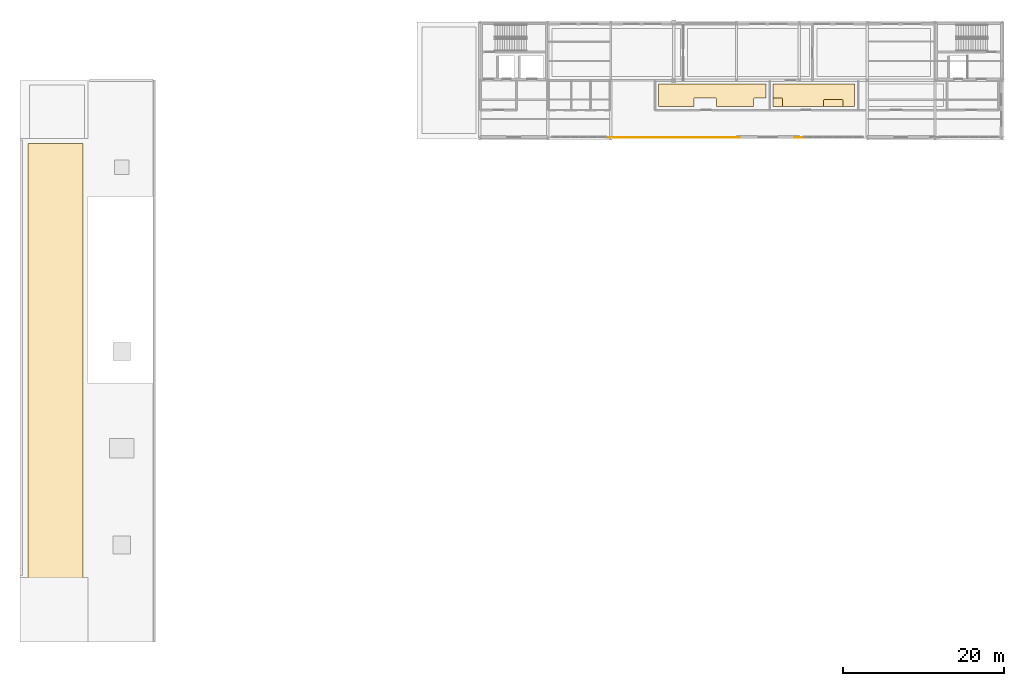
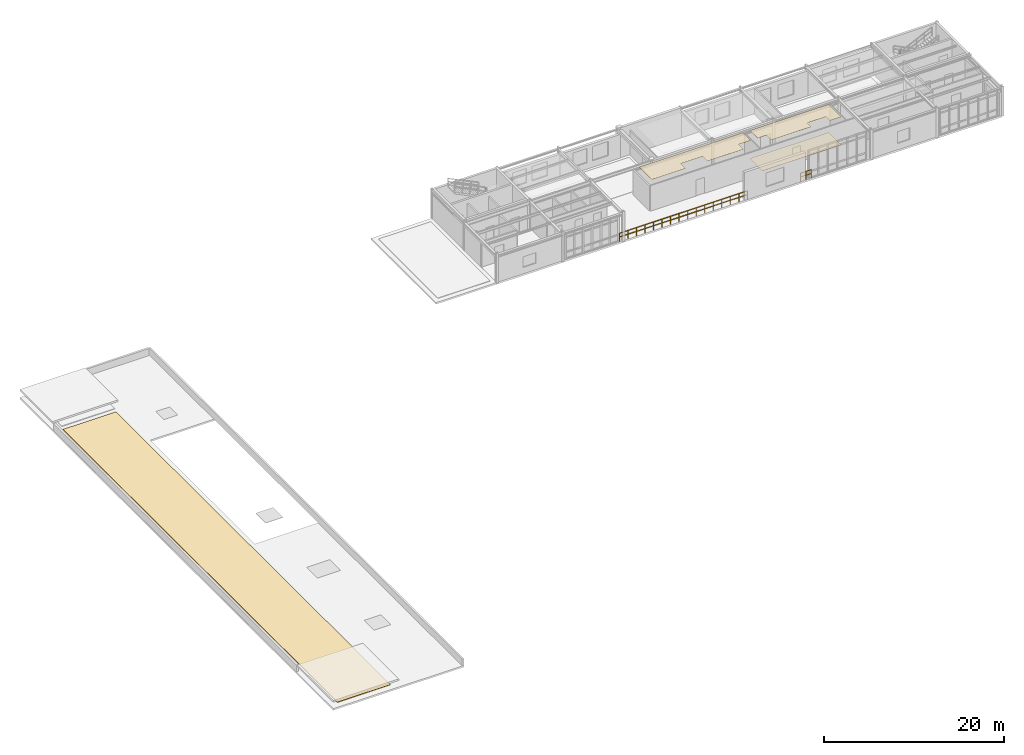
# One storey, part 17 of 20: 4 coverings, 2 railings.
"""IFC4 building model written with IfcOpenShell, lengths in metres."""

import ifcopenshell
import ifcopenshell.guid

model = None  # the IFC model being written
_history = None  # IfcOwnerHistory: only IFC2X3 demands one
_inside = {}  # id of a spatial element -> (the spatial element, [elements in it])
_under = {}  # id of a project, library or spatial element -> (it, [spatial elements below it])
_declared = {}  # id of a project -> (the project, [libraries it declares])
_typed = {}  # id of a type object -> (the type object, [elements of that type])
_made_of = {}  # id of a material, layer set ... -> (it, [elements and type objects made of it])


def new_model(schema):
    """Start an empty IFC model of exactly this schema.

    Asked for "IFC4X3", IfcOpenShell would pick the latest addendum, in which some entities
    have other attributes; the version numbers below select the first issue.
    IFC2X3 requires an IfcOwnerHistory on every rooted entity: one is made here for all.
    """
    global model, _history
    if schema == "IFC4X3":
        model = ifcopenshell.file(schema_version=(4, 3, 0, 0))
    else:
        model = ifcopenshell.file(schema=schema)
    _inside.clear()
    _under.clear()
    _declared.clear()
    _typed.clear()
    _made_of.clear()
    _history = None
    if model.schema == "IFC2X3":
        org = make("IfcOrganization", Name="unknown")
        user = make(
            "IfcPersonAndOrganization",
            ThePerson=make("IfcPerson", FamilyName="unknown"),
            TheOrganization=org,
        )
        app = make(
            "IfcApplication",
            ApplicationDeveloper=org,
            Version="unknown",
            ApplicationFullName="unknown",
            ApplicationIdentifier="unknown",
        )
        _history = make(
            "IfcOwnerHistory",
            OwningUser=user,
            OwningApplication=app,
            ChangeAction="ADDED",
            CreationDate=0,
        )
    return model


def make(cls, **values):
    """One entity of the class cls with the attributes given. An attribute that is None is left unset."""
    return model.create_entity(
        cls, **{name: value for name, value in values.items() if value is not None}
    )


def rooted(cls, **values):
    """An entity with a GlobalId (a new one), such as an element, a storey or a relation."""
    return make(cls, GlobalId=ifcopenshell.guid.new(), OwnerHistory=_history, **values)


def si_unit(unit_type, name, prefix=None):
    """IfcSIUnit, for example si_unit("LENGTHUNIT", "METRE", prefix="MILLI")."""
    return make("IfcSIUnit", UnitType=unit_type, Prefix=prefix, Name=name)


def derived_unit(unit_type, elements):
    """IfcDerivedUnit: a product of units, each with its exponent."""
    return make(
        "IfcDerivedUnit",
        Elements=[
            make("IfcDerivedUnitElement", Unit=unit, Exponent=power)
            for unit, power in elements
        ],
        UnitType=unit_type,
    )


def assignment(units):
    """IfcUnitAssignment: the units of a project."""
    return None if units is None else make("IfcUnitAssignment", Units=units)


def point(xyz):
    """IfcCartesianPoint."""
    return None if xyz is None else make("IfcCartesianPoint", Coordinates=xyz)


def direction(xyz):
    """IfcDirection."""
    return None if xyz is None else make("IfcDirection", DirectionRatios=xyz)


def frame(location, z_axis=None, x_axis=None):
    """IfcAxis2Placement3D, a coordinate frame: its origin and axes. An axis left out is left unset."""
    return make(
        "IfcAxis2Placement3D",
        Location=point(location),
        Axis=direction(z_axis),
        RefDirection=direction(x_axis),
    )


def frame_2d(location, x_axis=None):
    """IfcAxis2Placement2D, a coordinate frame in the plane: its origin and x axis."""
    return make(
        "IfcAxis2Placement2D", Location=point(location), RefDirection=direction(x_axis)
    )


def origin():
    """The frame at (0, 0, 0) with its axes left unset."""
    return frame((0.0, 0.0, 0.0))


def origin_2d():
    """The frame at (0, 0) in the plane with its x axis left unset."""
    return frame_2d((0.0, 0.0))


def place(relative_to, where):
    """IfcLocalPlacement: puts the frame where relative to a parent placement (None: the world)."""
    return make(
        "IfcLocalPlacement", PlacementRelTo=relative_to, RelativePlacement=where
    )


def context(
    kind, dimensions, precision=None, world=None, true_north=None, identifier=None
):
    """IfcGeometricRepresentationContext, for example the 3D "Model" context."""
    return make(
        "IfcGeometricRepresentationContext",
        ContextIdentifier=identifier,
        ContextType=kind,
        CoordinateSpaceDimension=dimensions,
        Precision=precision,
        WorldCoordinateSystem=world,
        TrueNorth=true_north,
    )


def subcontext(parent, identifier, kind, view, scale=None):
    """IfcGeometricRepresentationSubContext, for example "Body" below "Model"."""
    return make(
        "IfcGeometricRepresentationSubContext",
        ContextIdentifier=identifier,
        ContextType=kind,
        ParentContext=parent,
        TargetScale=scale,
        TargetView=view,
    )


def project(units=None, contexts=None):
    """IfcProject with its units and contexts."""
    return rooted(
        "IfcProject",
        Name="project",
        RepresentationContexts=contexts,
        UnitsInContext=assignment(units),
    )


def spatial(cls, under=None, at=None, **own):
    """A site, building, storey or space (cls), placed at a placement, below another one or the project."""
    s = rooted(cls, ObjectPlacement=at, **own)
    if under is not None:
        _under.setdefault(under.id(), (under, []))[1].append(s)
    return s


def polyline(points):
    """IfcPolyline through the points."""
    return make("IfcPolyline", Points=[point(p) for p in points])


def profile(cls, at=None, kind="AREA", **sizes):
    """A parametric profile (cls). Its sizes go by their IFC names, for example OverallWidth=200.0."""
    return make(cls, ProfileType=kind, Position=at, **sizes)


def circle(**sizes):
    """IfcCircleProfileDef."""
    return profile("IfcCircleProfileDef", **sizes)


def outline(outer, holes=None, kind="AREA"):
    """IfcArbitraryClosedProfileDef: a profile drawn as a closed curve; with holes, ...WithVoids."""
    if holes is None:
        return make("IfcArbitraryClosedProfileDef", ProfileType=kind, OuterCurve=outer)
    return make(
        "IfcArbitraryProfileDefWithVoids",
        ProfileType=kind,
        OuterCurve=outer,
        InnerCurves=holes,
    )


def extrude(swept, where, along, depth):
    """IfcExtrudedAreaSolid: the profile swept, set in the frame where, extruded along a direction by depth."""
    return make(
        "IfcExtrudedAreaSolid",
        SweptArea=swept,
        Position=where,
        ExtrudedDirection=direction(along),
        Depth=depth,
    )


def shape(context_of_items, identifier, shape_type, items):
    """IfcShapeRepresentation: the items that make up one representation, for example the "Body"."""
    return make(
        "IfcShapeRepresentation",
        ContextOfItems=context_of_items,
        RepresentationIdentifier=identifier,
        RepresentationType=shape_type,
        Items=items,
    )


def material(Name=None, Category=None):
    """IfcMaterial."""
    return make("IfcMaterial", Name=Name, Category=Category)


def layer(
    of_material, thickness, ventilated=None, Name=None, Category=None, Priority=None
):
    """IfcMaterialLayer: one layer of a wall or slab, of a material (None: an air gap)."""
    return make(
        "IfcMaterialLayer",
        Material=of_material,
        LayerThickness=thickness,
        IsVentilated=ventilated,
        Name=Name,
        Category=Category,
        Priority=Priority,
    )


def layer_set(layers, Name=None):
    """IfcMaterialLayerSet."""
    return make("IfcMaterialLayerSet", MaterialLayers=layers, LayerSetName=Name)


def made_of(thing, what):
    """Note that an element or type object is made of a material, layer set ...; save() writes the relation."""
    if what is not None:
        _made_of.setdefault(what.id(), (what, []))[1].append(thing)
    return thing


def type_object(cls, material=None, **own):
    """A type object (cls), such as IfcWallType, which elements share."""
    return made_of(rooted(cls, **own), material)


def element(
    cls,
    number,
    at=None,
    inside=None,
    cuts=None,
    type_object=None,
    material=None,
    context=None,
    identifier="Body",
    shape_type=None,
    held_by="IfcProductDefinitionShape",
    body=None,
    shapes=None,
    **own,
):
    """One element of the class cls, such as IfcWall. Its Tag is "e" and its number.

    at: its placement. inside: the storey or other place that contains it. cuts: it is an
    opening in that element (IfcRelVoidsElement). A single representation is given by context,
    identifier, shape_type and body (its items); several are given by shapes. held_by: the class
    of the entity that holds the representations. save() writes the other relations.
    """
    e = rooted(cls, Tag="e%d" % number, ObjectPlacement=at, **own)
    if body is not None:
        shapes = [shape(context, identifier, shape_type, body)]
    if shapes is not None:
        e.Representation = make(held_by, Representations=shapes)
    if inside is not None:
        _inside.setdefault(inside.id(), (inside, []))[1].append(e)
    if cuts is not None:
        rooted(
            "IfcRelVoidsElement", RelatingBuildingElement=cuts, RelatedOpeningElement=e
        )
    if type_object is not None:
        _typed.setdefault(type_object.id(), (type_object, []))[1].append(e)
    return made_of(e, material)


def aggregate(whole, parts):
    """IfcRelAggregates: a whole, such as a stair, and the parts it consists of."""
    return rooted("IfcRelAggregates", RelatingObject=whole, RelatedObjects=parts)


def save(model, path):
    """Write the relations noted so far, then the file.

    IfcRelAggregates (storeys below a building ...), IfcRelContainedInSpatialStructure (elements
    in a storey), IfcRelDefinesByType, IfcRelAssociatesMaterial and IfcRelDeclares: one each for
    every whole, place, type object, material and project.
    """
    for whole, parts in _under.values():
        aggregate(whole, parts)
    for where, things in _inside.values():
        rooted(
            "IfcRelContainedInSpatialStructure",
            RelatedElements=things,
            RelatingStructure=where,
        )
    for kind, things in _typed.values():
        rooted("IfcRelDefinesByType", RelatedObjects=things, RelatingType=kind)
    for what, things in _made_of.values():
        rooted("IfcRelAssociatesMaterial", RelatedObjects=things, RelatingMaterial=what)
    for by, libraries in _declared.values():
        rooted("IfcRelDeclares", RelatingContext=by, RelatedDefinitions=libraries)
    model.write(path)


model = new_model("IFC4")

# Units and contexts
model_context = context("Model", 3, precision=1e-05, world=origin(), true_north=direction((0.0, 1.0)))
body_context = subcontext(model_context, "Body", "Model", "MODEL_VIEW")
ifc_project = project(units=[si_unit("LENGTHUNIT", "METRE"), si_unit("AREAUNIT", "SQUARE_METRE"), si_unit("VOLUMEUNIT", "CUBIC_METRE"), si_unit("PLANEANGLEUNIT", "RADIAN"), si_unit("MASSUNIT", "GRAM", prefix="KILO"), derived_unit("THERMALTRANSMITTANCEUNIT", [(si_unit("POWERUNIT", "WATT"), 1), (si_unit("AREAUNIT", "SQUARE_METRE"), -1), (si_unit("THERMODYNAMICTEMPERATUREUNIT", "KELVIN"), -1)])], contexts=[model_context])

# Site, building, storey
site_placement = place(None, origin())
site = spatial("IfcSite", under=ifc_project, at=site_placement, CompositionType="ELEMENT")
building_placement = place(site_placement, origin())
building = spatial("IfcBuilding", under=site, at=building_placement, Name="Yasenodar Specialist Clinic", CompositionType="ELEMENT")
storey_placement = place(building_placement, frame((0.0, 0.0, 25.35009765625)))
storey = spatial("IfcBuildingStorey", under=building, at=storey_placement, Name="L06", CompositionType="ELEMENT", Elevation=25.35009765625)

# Coverings
ifc_material_1 = material(Name="Hygienic Acoustic Mineral-Fibre Ceiling")
ifc_layer_1 = layer(ifc_material_1, 0.02490234375)
ifc_layer_set_1 = layer_set([ifc_layer_1], Name="Hygienic Acoustic Mineral-Fibre Ceiling")
covering_type_1 = type_object("IfcCoveringType", Name="COV-CEIL-AC", PredefinedType="CEILING", material=ifc_layer_set_1)
covering_1_placement = place(storey_placement, frame((0.0, 0.0, 3.7998046875)))
element("IfcCovering", 1, at=covering_1_placement, inside=storey, type_object=covering_type_1, Name="L06 Medical Research Reading Room Acoustic Ceiling", PredefinedType="CEILING", context=body_context, shape_type="SweptSolid", body=[
    extrude(outline(polyline([(92.449951171875, 103.929931640625), (92.449951171875, 102.199951171875), (91.0, 102.199951171875), (90.989990234375, 102.199951171875), (90.97998046875, 102.197998046875), (90.970947265625, 102.196044921875), (90.9619140625, 102.19189453125), (90.952880859375, 102.18798828125), (90.944091796875, 102.18310546875), (90.93701171875, 102.177001953125), (90.928955078125, 102.1708984375), (90.923095703125, 102.1630859375), (90.9169921875, 102.156005859375), (90.912109375, 102.14697265625), (90.907958984375, 102.137939453125), (90.904052734375, 102.12890625), (90.902099609375, 102.1201171875), (90.89990234375, 102.110107421875), (90.89990234375, 102.10009765625), (90.89990234375, 101.1298828125), (86.300048828125, 101.1298828125), (86.300048828125, 102.10009765625), (86.300048828125, 102.110107421875), (86.298095703125, 102.1201171875), (86.2958984375, 102.12890625), (86.2919921875, 102.137939453125), (86.2880859375, 102.14697265625), (86.282958984375, 102.156005859375), (86.277099609375, 102.1630859375), (86.27099609375, 102.1708984375), (86.262939453125, 102.177001953125), (86.256103515625, 102.18310546875), (86.2470703125, 102.18798828125), (86.238037109375, 102.19189453125), (86.22900390625, 102.196044921875), (86.219970703125, 102.197998046875), (86.2099609375, 102.199951171875), (86.199951171875, 102.199951171875), (83.60009765625, 102.199951171875), (83.590087890625, 102.199951171875), (83.580078125, 102.197998046875), (83.571044921875, 102.196044921875), (83.56201171875, 102.19189453125), (83.552978515625, 102.18798828125), (83.5439453125, 102.18310546875), (83.537109375, 102.177001953125), (83.529052734375, 102.1708984375), (83.52294921875, 102.1630859375), (83.51708984375, 102.156005859375), (83.511962890625, 102.14697265625), (83.508056640625, 102.137939453125), (83.50390625, 102.12890625), (83.501953125, 102.1201171875), (83.5, 102.110107421875), (83.5, 102.10009765625), (83.5, 101.1298828125), (79.14990234375, 101.1298828125), (79.14990234375, 103.929931640625), (92.449951171875, 103.929931640625)])), origin(), (0.0, 0.0, 1.0), 0.025146484375),
])
covering_2_placement = place(storey_placement, frame((0.0, 0.0, 3.7998046875)))
element("IfcCovering", 2, at=covering_2_placement, inside=storey, type_object=covering_type_1, Name="L06 On-Call Duty Room Acoustic Ceiling", PredefinedType="CEILING", context=body_context, shape_type="SweptSolid", body=[
    extrude(outline(polyline([(103.449951171875, 103.929931640625), (103.449951171875, 101.1298828125), (102.0, 101.1298828125), (102.0, 101.89990234375), (102.0, 101.909912109375), (101.998046875, 101.919921875), (101.99609375, 101.928955078125), (101.991943359375, 101.93798828125), (101.988037109375, 101.947021484375), (101.98291015625, 101.9560546875), (101.97705078125, 101.962890625), (101.970947265625, 101.970947265625), (101.962890625, 101.97705078125), (101.9560546875, 101.98291015625), (101.947021484375, 101.988037109375), (101.93798828125, 101.991943359375), (101.928955078125, 101.99609375), (101.919921875, 101.998046875), (101.909912109375, 102.0), (101.89990234375, 102.0), (99.699951171875, 102.0), (99.68994140625, 102.0), (99.679931640625, 101.998046875), (99.6708984375, 101.99609375), (99.662109375, 101.991943359375), (99.653076171875, 101.988037109375), (99.64404296875, 101.98291015625), (99.636962890625, 101.97705078125), (99.62890625, 101.970947265625), (99.623046875, 101.962890625), (99.616943359375, 101.9560546875), (99.612060546875, 101.947021484375), (99.60791015625, 101.93798828125), (99.60400390625, 101.928955078125), (99.60205078125, 101.919921875), (99.60009765625, 101.909912109375), (99.60009765625, 101.89990234375), (99.60009765625, 101.1298828125), (94.5, 101.1298828125), (94.5, 102.10009765625), (94.5, 102.110107421875), (94.498046875, 102.1201171875), (94.49609375, 102.12890625), (94.491943359375, 102.137939453125), (94.488037109375, 102.14697265625), (94.48291015625, 102.156005859375), (94.47705078125, 102.1630859375), (94.470947265625, 102.1708984375), (94.462890625, 102.177001953125), (94.4560546875, 102.18310546875), (94.447021484375, 102.18798828125), (94.43798828125, 102.19189453125), (94.428955078125, 102.196044921875), (94.419921875, 102.197998046875), (94.409912109375, 102.199951171875), (94.39990234375, 102.199951171875), (93.35009765625, 102.199951171875), (93.35009765625, 103.929931640625), (103.449951171875, 103.929931640625)])), origin(), (0.0, 0.0, 1.0), 0.025146484375),
])
ifc_material_2 = material(Name="Seamless Epoxy Terrazzo Clinical Flooring")
ifc_layer_2 = layer(ifc_material_2, 0.02001953125)
ifc_layer_set_2 = layer_set([ifc_layer_2], Name="Seamless Epoxy Terrazzo Clinical Flooring")
covering_type_2 = type_object("IfcCoveringType", Name="COV-FLR-TERR", PredefinedType="FLOORING", material=ifc_layer_set_2)
covering_3_placement = place(storey_placement, origin())
element("IfcCovering", 3, at=covering_3_placement, inside=storey, type_object=covering_type_2, Name="L06 On-Call Duty Room Terrazzo Flooring", PredefinedType="FLOORING", context=body_context, shape_type="SweptSolid", body=[
    extrude(outline(polyline([(103.449951171875, 103.929931640625), (103.449951171875, 101.1298828125), (93.35009765625, 101.1298828125), (93.35009765625, 103.929931640625), (103.449951171875, 103.929931640625)])), origin(), (0.0, 0.0, 1.0), 0.02001953125),
])
ifc_material_3 = material(Name="Standing-Seam Pre-Weathered Zinc Roofing")
ifc_layer_3 = layer(ifc_material_3, 0.06005859375)
ifc_layer_set_3 = layer_set([ifc_layer_3], Name="Standing-Seam Pre-Weathered Zinc Roofing")
covering_type_3 = type_object("IfcCoveringType", Name="COV-ROOF-ZINC", PredefinedType="ROOFING", material=ifc_layer_set_3)
covering_4_placement = place(storey_placement, origin())
element("IfcCovering", 4, at=covering_4_placement, inside=storey, type_object=covering_type_3, Name="V4 West Zinc Roof Covering", PredefinedType="ROOFING", context=body_context, shape_type="SweptSolid", body=[
    extrude(outline(polyline([(1.0, 35.60009765625), (7.800048828125, 35.60009765625), (7.800048828125, 96.60009765625), (1.0, 96.60009765625), (1.0, 35.60009765625)])), origin(), (0.0, 0.0, 1.0), 0.059814453125),
])

# Railings
ifc_material_4 = material(Name="Steel S355 Painted Guardrail", Category="steel")
railing_type = type_object("IfcRailingType", Name="RL-GRD-1120", PredefinedType="GUARDRAIL", material=ifc_material_4)
railing_1_placement = place(storey_placement, frame((72.800048828125, 97.300048828125, 0.0)))
element("IfcRailing", 5, at=railing_1_placement, inside=storey, type_object=railing_type, Name="L06 V5 South Edge Guardrail Central", PredefinedType="GUARDRAIL", context=body_context, shape_type="SweptSolid", body=[
    extrude(circle(Radius=0.02392578125, at=origin_2d()), frame((0.0, 0.0, 1.09619140625), z_axis=(1.0, 0.0, 0.0), x_axis=(0.0, 1.0, 0.0)), (0.0, 0.0, 1.0), 16.39990234375),
    extrude(circle(Radius=0.02392578125, at=origin_2d()), frame((0.0, 0.0, 0.58251953125), z_axis=(1.0, 0.0, 0.0), x_axis=(0.0, 1.0, 0.0)), (0.0, 0.0, 1.0), 16.39990234375),
    extrude(circle(Radius=0.02099609375, at=origin_2d()), origin(), (0.0, 0.0, 1.0), 1.072021484375),
    extrude(circle(Radius=0.02099609375, at=origin_2d()), frame((1.09326171875, 0.0, 0.0)), (0.0, 0.0, 1.0), 1.072021484375),
    extrude(circle(Radius=0.02099609375, at=origin_2d()), frame((2.186767578125, 0.0, 0.0)), (0.0, 0.0, 1.0), 1.072021484375),
    extrude(circle(Radius=0.02099609375, at=origin_2d()), frame((3.280029296875, 0.0, 0.0)), (0.0, 0.0, 1.0), 1.072021484375),
    extrude(circle(Radius=0.02099609375, at=origin_2d()), frame((4.373291015625, 0.0, 0.0)), (0.0, 0.0, 1.0), 1.072021484375),
    extrude(circle(Radius=0.02099609375, at=origin_2d()), frame((5.466552734375, 0.0, 0.0)), (0.0, 0.0, 1.0), 1.072021484375),
    extrude(circle(Radius=0.02099609375, at=origin_2d()), frame((6.56005859375, 0.0, 0.0)), (0.0, 0.0, 1.0), 1.072021484375),
    extrude(circle(Radius=0.02099609375, at=origin_2d()), frame((7.6533203125, 0.0, 0.0)), (0.0, 0.0, 1.0), 1.072021484375),
    extrude(circle(Radius=0.02099609375, at=origin_2d()), frame((8.74658203125, 0.0, 0.0)), (0.0, 0.0, 1.0), 1.072021484375),
    extrude(circle(Radius=0.02099609375, at=origin_2d()), frame((9.83984375, 0.0, 0.0)), (0.0, 0.0, 1.0), 1.072021484375),
    extrude(circle(Radius=0.02099609375, at=origin_2d()), frame((10.933349609375, 0.0, 0.0)), (0.0, 0.0, 1.0), 1.072021484375),
    extrude(circle(Radius=0.02099609375, at=origin_2d()), frame((12.026611328125, 0.0, 0.0)), (0.0, 0.0, 1.0), 1.072021484375),
    extrude(circle(Radius=0.02099609375, at=origin_2d()), frame((13.119873046875, 0.0, 0.0)), (0.0, 0.0, 1.0), 1.072021484375),
    extrude(circle(Radius=0.02099609375, at=origin_2d()), frame((14.213134765625, 0.0, 0.0)), (0.0, 0.0, 1.0), 1.072021484375),
    extrude(circle(Radius=0.02099609375, at=origin_2d()), frame((15.306640625, 0.0, 0.0)), (0.0, 0.0, 1.0), 1.072021484375),
    extrude(circle(Radius=0.02099609375, at=origin_2d()), frame((16.39990234375, 0.0, 0.0)), (0.0, 0.0, 1.0), 1.072021484375),
])
railing_2_placement = place(storey_placement, frame((96.0, 97.300048828125, 0.0)))
element("IfcRailing", 6, at=railing_2_placement, inside=storey, type_object=railing_type, Name="L06 V5 South Edge Guardrail East", PredefinedType="GUARDRAIL", context=body_context, shape_type="SweptSolid", body=[
    extrude(circle(Radius=0.02392578125, at=origin_2d()), frame((0.0, 0.0, 1.09619140625), z_axis=(1.0, 0.0, 0.0), x_axis=(0.0, 1.0, 0.0)), (0.0, 0.0, 1.0), 1.39990234375),
    extrude(circle(Radius=0.02392578125, at=origin_2d()), frame((0.0, 0.0, 0.58251953125), z_axis=(1.0, 0.0, 0.0), x_axis=(0.0, 1.0, 0.0)), (0.0, 0.0, 1.0), 1.39990234375),
    extrude(circle(Radius=0.02099609375, at=origin_2d()), origin(), (0.0, 0.0, 1.0), 1.072021484375),
    extrude(circle(Radius=0.02099609375, at=origin_2d()), frame((0.699951171875, 0.0, 0.0)), (0.0, 0.0, 1.0), 1.072021484375),
    extrude(circle(Radius=0.02099609375, at=origin_2d()), frame((1.39990234375, 0.0, 0.0)), (0.0, 0.0, 1.0), 1.072021484375),
])

save(model, "model.ifc")
